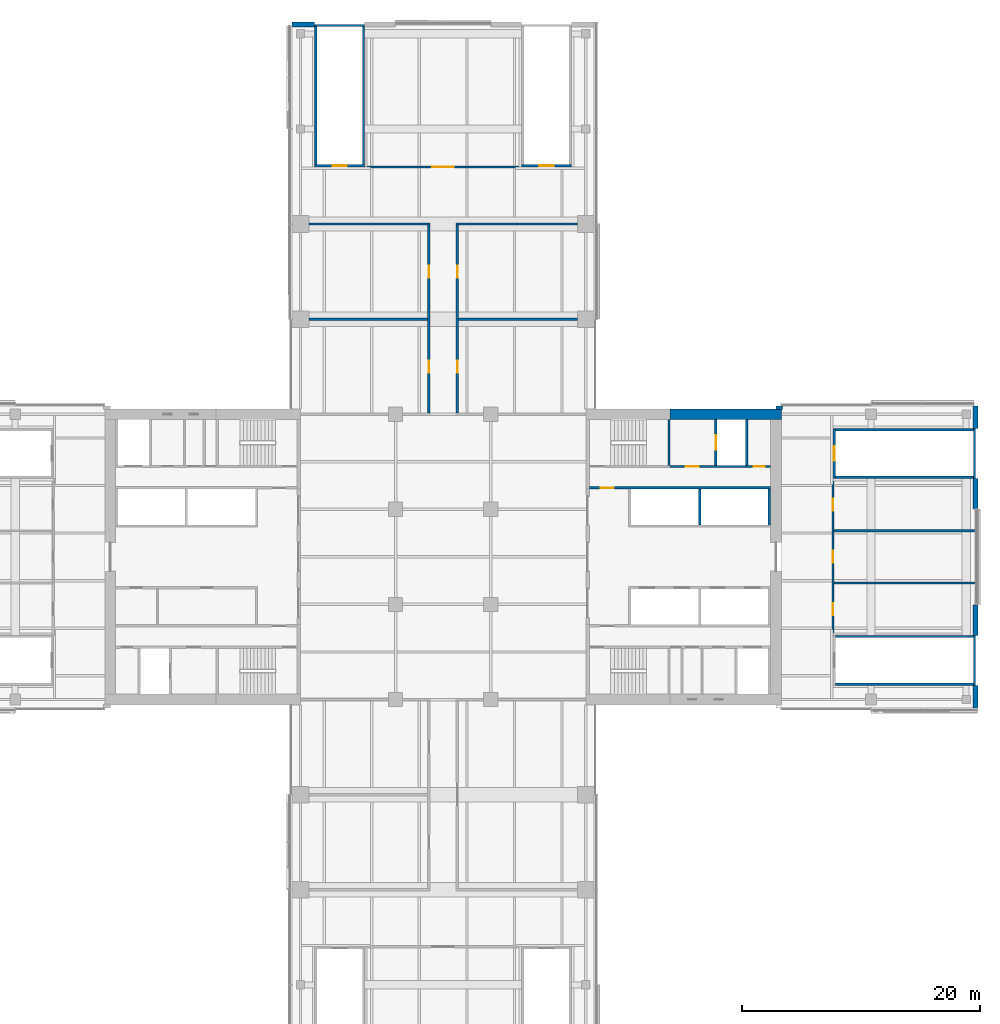
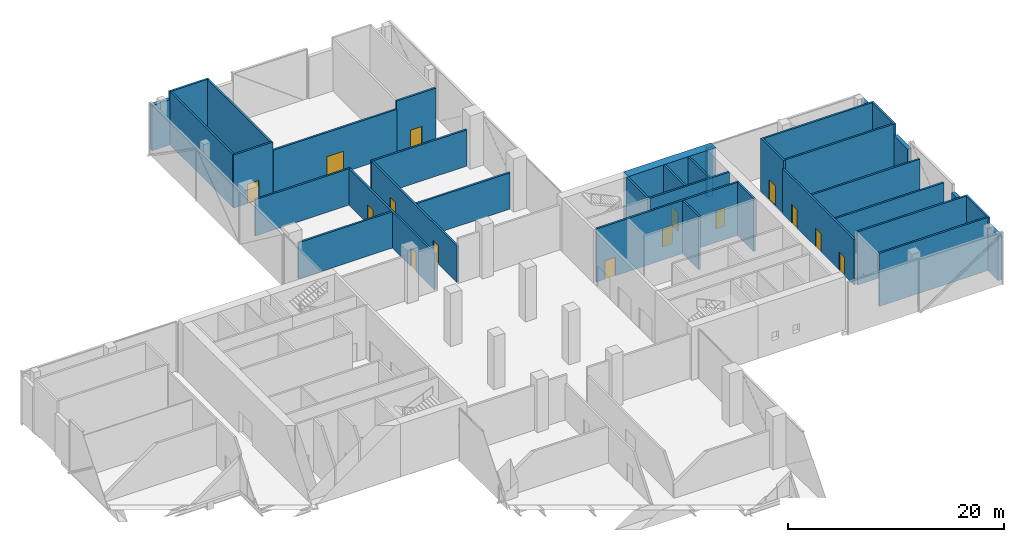
# One storey, part 17 of 23: 36 walls, 15 doors, 15 openings.
"""IFC4 building model written with IfcOpenShell, lengths in metres."""

from ifc_helpers import new_model, si_unit, direction, frame, frame_2d, origin, place, context, subcontext, project, spatial, rectangle, extrude, material, layer, layer_set, constituent, constituent_set, type_object, element, fill, save


model = new_model("IFC4")

# Units and contexts
model_context = context("Model", 3, precision=1e-05, world=origin(), true_north=direction((0.0, 1.0)))
body_context = subcontext(model_context, "Body", "Model", "MODEL_VIEW")
ifc_project = project(units=[si_unit("LENGTHUNIT", "METRE"), si_unit("AREAUNIT", "SQUARE_METRE"), si_unit("VOLUMEUNIT", "CUBIC_METRE"), si_unit("PLANEANGLEUNIT", "RADIAN"), si_unit("MASSUNIT", "GRAM", prefix="KILO")], contexts=[model_context])

# Site, building, storey
site_placement = place(None, origin())
site = spatial("IfcSite", under=ifc_project, at=site_placement, CompositionType="ELEMENT")
building_placement = place(site_placement, origin())
building = spatial("IfcBuilding", under=site, at=building_placement, Name="Crosswind Convention Tower", CompositionType="ELEMENT")
storey_placement = place(building_placement, frame((0.0, 0.0, 41.5)))
storey = spatial("IfcBuildingStorey", under=building, at=storey_placement, Name="L05", CompositionType="ELEMENT", Elevation=41.5)

# Walls
ifc_material_1 = material(Name="Concrete C50/60", Category="concrete")
ifc_layer_1 = layer(ifc_material_1, 0.199951171875)
ifc_layer_set_1 = layer_set([ifc_layer_1], Name="Concrete C50/60")
wall_type_1 = type_object("IfcWallType", Name="Concrete shaft and stair wall 200", PredefinedType="SHEAR", material=ifc_layer_set_1)
for number, where, z_axis, x_axis, name in (
    (1, (146.60009765625, 102.699951171875, 0.0), (0.0, 0.0, 1.0), (0.0, 1.0, 0.0), "Wall RPSEP E L05"),
    (2, (152.449951171875, 102.699951171875, 0.0), (0.0, 0.0, 1.0), (0.0, 1.0, 0.0), "Wall RPEAST E L05"),
):
    element("IfcWall", number, at=place(storey_placement, frame(where, z_axis=z_axis, x_axis=x_axis)), inside=storey, type_object=wall_type_1, Name=name, PredefinedType="SHEAR", context=body_context, shape_type="SweptSolid", body=[
        extrude(rectangle(XDim=3.0, YDim=0.199951171875, at=frame_2d((1.5, 0.0))), origin(), (0.0, 0.0, 1.0), 6.0),
    ])

# Wall, opening, door
wall_1_placement = place(storey_placement, frame((137.300048828125, 105.800048828125, 0.0), z_axis=(0.0, 0.0, 1.0), x_axis=(1.0, 0.0, 0.0)))
wall_1 = element("IfcWall", 3, at=wall_1_placement, inside=storey, type_object=wall_type_1, Name="Wall HP E L05", PredefinedType="SHEAR", context=body_context, shape_type="SweptSolid", body=[
    extrude(rectangle(XDim=15.25, YDim=0.199951171875, at=frame_2d((7.625, 0.0))), origin(), (0.0, 0.0, 1.0), 6.0),
])
opening_1_placement = place(wall_1_placement, frame((0.949951171875, 0.0, 0.0)))
opening_1 = element("IfcOpeningElement", 4, at=opening_1_placement, cuts=wall_1, Name="Opening D104", PredefinedType="OPENING", context=body_context, shape_type="SweptSolid", body=[
    extrude(rectangle(XDim=1.10009765625, YDim=2.10009765625, at=frame_2d((0.550048828125, 1.050048828125))), frame((0.0, 0.10986328125, 0.0), z_axis=(0.0, -1.0, 0.0), x_axis=(1.0, 0.0, 0.0)), (0.0, 0.0, 1.0), 0.219970703125),
])
ifc_material_2 = material(Name="Steel fire door", Category="steel")
door_type_1 = type_object("IfcDoorType", Name="Fire-rated single door 1100x2100", OperationType="NOTDEFINED", PredefinedType="DOOR", material=ifc_material_2)
door_1_placement = place(opening_1_placement, origin())
door_1 = element("IfcDoor", 5, at=door_1_placement, inside=storey, type_object=door_type_1, Name="Corridor door L05", ObjectType="D104", OperationType="SINGLE_SWING_LEFT", OverallHeight=2.10009765625, OverallWidth=1.10009765625, PredefinedType="DOOR", context=body_context, shape_type="SweptSolid", body=[
    extrude(rectangle(XDim=1.10009765625, YDim=2.10009765625, at=frame_2d((0.550048828125, 1.050048828125))), frame((0.0, 0.02490234375, 0.0), z_axis=(0.0, -1.0, 0.0), x_axis=(1.0, 0.0, 0.0)), (0.0, 0.0, 1.0), 0.050048828125),
])
fill(opening_1, door_1)

# Wall
wall_2_placement = place(storey_placement, frame((144.0, 107.699951171875, 0.0), z_axis=(0.0, 0.0, 1.0), x_axis=(0.0, 1.0, 0.0)))
element("IfcWall", 6, at=wall_2_placement, inside=storey, type_object=wall_type_1, Name="Wall PSE E L05", PredefinedType="SHEAR", context=body_context, shape_type="SweptSolid", body=[
    extrude(rectangle(XDim=3.85009765625, YDim=0.199951171875, at=frame_2d((1.925048828125, 0.0))), origin(), (0.0, 0.0, 1.0), 6.0),
])

# Wall, opening, door
wall_3_placement = place(storey_placement, frame((147.949951171875, 107.699951171875, 0.0), z_axis=(0.0, 0.0, 1.0), x_axis=(0.0, 1.0, 0.0)))
wall_3 = element("IfcWall", 7, at=wall_3_placement, inside=storey, type_object=wall_type_1, Name="Wall PFLW E L05", PredefinedType="SHEAR", context=body_context, shape_type="SweptSolid", body=[
    extrude(rectangle(XDim=3.85009765625, YDim=0.199951171875, at=frame_2d((1.925048828125, 0.0))), origin(), (0.0, 0.0, 1.0), 6.0),
])
opening_2_placement = place(wall_3_placement, frame((1.324951171875, 0.0, 0.0)))
opening_2 = element("IfcOpeningElement", 8, at=opening_2_placement, cuts=wall_3, Name="Opening LD1", PredefinedType="OPENING", context=body_context, shape_type="SweptSolid", body=[
    extrude(rectangle(XDim=1.199951171875, YDim=2.10009765625, at=frame_2d((0.60009765625, 1.050048828125))), frame((0.0, 0.10986328125, 0.0), z_axis=(0.0, -1.0, 0.0), x_axis=(1.0, 0.0, 0.0)), (0.0, 0.0, 1.0), 0.219970703125),
])
ifc_material_3 = material(Name="Stainless steel", Category="steel")
door_type_2 = type_object("IfcDoorType", Name="Lift landing door 1200x2100", OperationType="DOUBLE_DOOR_SLIDING", PredefinedType="DOOR", material=ifc_material_3)
door_2_placement = place(opening_2_placement, origin())
door_2 = element("IfcDoor", 9, at=door_2_placement, inside=storey, type_object=door_type_2, Name="Landing door FF1 L05", ObjectType="LD1", OperationType="DOUBLE_DOOR_SLIDING", OverallHeight=2.10009765625, OverallWidth=1.199951171875, PredefinedType="DOOR", context=body_context, shape_type="SweptSolid", body=[
    extrude(rectangle(XDim=1.199951171875, YDim=2.10009765625, at=frame_2d((0.60009765625, 1.050048828125))), frame((0.0, 0.02490234375, 0.0), z_axis=(0.0, -1.0, 0.0), x_axis=(1.0, 0.0, 0.0)), (0.0, 0.0, 1.0), 0.050048828125),
])
fill(opening_2, door_2)

# Wall
wall_4_placement = place(storey_placement, frame((150.550048828125, 107.699951171875, 0.0), z_axis=(0.0, 0.0, 1.0), x_axis=(0.0, 1.0, 0.0)))
element("IfcWall", 10, at=wall_4_placement, inside=storey, type_object=wall_type_1, Name="Wall PFSE E L05", PredefinedType="SHEAR", context=body_context, shape_type="SweptSolid", body=[
    extrude(rectangle(XDim=3.85009765625, YDim=0.199951171875, at=frame_2d((1.925048828125, 0.0))), origin(), (0.0, 0.0, 1.0), 6.0),
])

# Wall, openings, doors
wall_5_placement = place(storey_placement, frame((144.10009765625, 107.60009765625, 0.0), z_axis=(0.0, 0.0, 1.0), x_axis=(1.0, 0.0, 0.0)))
wall_5 = element("IfcWall", 11, at=wall_5_placement, inside=storey, type_object=wall_type_1, Name="Wall PCX E L05", PredefinedType="SHEAR", context=body_context, shape_type="SweptSolid", body=[
    extrude(rectangle(XDim=8.449951171875, YDim=0.199951171875, at=frame_2d((4.22509765625, 0.0))), origin(), (0.0, 0.0, 1.0), 6.0),
])
opening_3_placement = place(wall_5_placement, frame((1.324951171875, 0.0, 0.0)))
opening_3 = element("IfcOpeningElement", 12, at=opening_3_placement, cuts=wall_5, Name="Opening D104", PredefinedType="OPENING", context=body_context, shape_type="SweptSolid", body=[
    extrude(rectangle(XDim=1.10009765625, YDim=2.10009765625, at=frame_2d((0.550048828125, 1.050048828125))), frame((0.0, 0.10986328125, 0.0), z_axis=(0.0, -1.0, 0.0), x_axis=(1.0, 0.0, 0.0)), (0.0, 0.0, 1.0), 0.219970703125),
])
opening_4_placement = place(wall_5_placement, frame((7.050048828125, 0.0, 0.0)))
opening_4 = element("IfcOpeningElement", 13, at=opening_4_placement, cuts=wall_5, Name="Opening D106", PredefinedType="OPENING", context=body_context, shape_type="SweptSolid", body=[
    extrude(rectangle(XDim=0.89990234375, YDim=2.10009765625, at=frame_2d((0.449951171875, 1.050048828125))), frame((0.0, 0.10986328125, 0.0), z_axis=(0.0, -1.0, 0.0), x_axis=(1.0, 0.0, 0.0)), (0.0, 0.0, 1.0), 0.219970703125),
])
door_3_placement = place(opening_3_placement, origin())
door_3 = element("IfcDoor", 14, at=door_3_placement, inside=storey, type_object=door_type_1, Name="Fire-fighting lobby FF1 door L05", ObjectType="D104", OperationType="SINGLE_SWING_RIGHT", OverallHeight=2.10009765625, OverallWidth=1.10009765625, PredefinedType="DOOR", context=body_context, shape_type="SweptSolid", body=[
    extrude(rectangle(XDim=1.10009765625, YDim=2.10009765625, at=frame_2d((0.550048828125, 1.050048828125))), frame((0.0, 0.02490234375, 0.0), z_axis=(0.0, -1.0, 0.0), x_axis=(1.0, 0.0, 0.0)), (0.0, 0.0, 1.0), 0.050048828125),
])
fill(opening_3, door_3)
ifc_material_4 = material(Name="Timber door", Category="wood")
door_type_3 = type_object("IfcDoorType", Name="Single leaf door 900x2100", OperationType="NOTDEFINED", PredefinedType="DOOR", material=ifc_material_4)
door_4_placement = place(opening_4_placement, origin())
door_4 = element("IfcDoor", 15, at=door_4_placement, inside=storey, type_object=door_type_3, Name="Door to comms room L05", ObjectType="D106", OperationType="SINGLE_SWING_RIGHT", OverallHeight=2.10009765625, OverallWidth=0.89990234375, PredefinedType="DOOR", context=body_context, shape_type="SweptSolid", body=[
    extrude(rectangle(XDim=0.89990234375, YDim=2.10009765625, at=frame_2d((0.449951171875, 1.050048828125))), frame((0.0, 0.02490234375, 0.0), z_axis=(0.0, -1.0, 0.0), x_axis=(1.0, 0.0, 0.0)), (0.0, 0.0, 1.0), 0.050048828125),
])
fill(opening_4, door_4)

# Walls
ifc_material_5 = material(Name="Double plasterboard partition", Category="gypsum")
ifc_layer_2 = layer(ifc_material_5, 0.199951171875)
ifc_layer_set_2 = layer_set([ifc_layer_2], Name="HALL WALL 200")
wall_type_2 = type_object("IfcWallType", Name="HALL WALL 200", PredefinedType="PARTITIONING", material=ifc_layer_set_2)
for number, where, z_axis, x_axis, name in (
    (16, (157.89990234375, 97.800048828125, 0.0), (0.0, 0.0, 1.0), (1.0, 0.0, 0.0), "Hall Wall 18"),
    (17, (157.89990234375, 102.199951171875, 0.0), (0.0, 0.0, 1.0), (1.0, 0.0, 0.0), "Hall Wall 20"),
):
    element("IfcWall", number, at=place(storey_placement, frame(where, z_axis=z_axis, x_axis=x_axis)), inside=storey, type_object=wall_type_2, Name=name, PredefinedType="PARTITIONING", context=body_context, shape_type="SweptSolid", body=[
        extrude(rectangle(XDim=11.900146484375, YDim=0.199951171875, at=frame_2d((5.9501953125, 0.0))), origin(), (0.0, 0.0, 1.0), 4.699951171875),
    ])
for number, where, z_axis, x_axis, name in (
    (18, (113.699951171875, 120.0, 0.0), (0.0, 0.0, 1.0), (1.0, 0.0, 0.0), "Hall Wall 29"),
    (19, (126.300048828125, 120.0, 0.0), (0.0, 0.0, 1.0), (1.0, 0.0, 0.0), "Hall Wall 30"),
):
    element("IfcWall", number, at=place(storey_placement, frame(where, z_axis=z_axis, x_axis=x_axis)), inside=storey, type_object=wall_type_2, Name=name, PredefinedType="PARTITIONING", context=body_context, shape_type="SweptSolid", body=[
        extrude(rectangle(XDim=10.0, YDim=0.199951171875, at=frame_2d((5.0, 0.0))), origin(), (0.0, 0.0, 1.0), 4.10009765625),
    ])
for number, where, z_axis, x_axis, name in (
    (20, (113.699951171875, 128.0, 0.0), (0.0, 0.0, 1.0), (1.0, 0.0, 0.0), "Hall Wall 31"),
    (21, (126.10009765625, 128.0, 0.0), (0.0, 0.0, 1.0), (1.0, 0.0, 0.0), "Hall Wall 32"),
):
    element("IfcWall", number, at=place(storey_placement, frame(where, z_axis=z_axis, x_axis=x_axis)), inside=storey, type_object=wall_type_2, Name=name, PredefinedType="PARTITIONING", context=body_context, shape_type="SweptSolid", body=[
        extrude(rectangle(XDim=10.199951171875, YDim=0.199951171875, at=frame_2d((5.10009765625, 0.0))), origin(), (0.0, 0.0, 1.0), 4.10009765625),
    ])

# Wall, opening, door
wall_6_placement = place(storey_placement, frame((118.39990234375, 132.800048828125, 0.0), z_axis=(0.0, 0.0, 1.0), x_axis=(1.0, 0.0, 0.0)))
wall_6 = element("IfcWall", 22, at=wall_6_placement, inside=storey, type_object=wall_type_2, Name="Hall Wall 33", PredefinedType="PARTITIONING", context=body_context, shape_type="SweptSolid", body=[
    extrude(rectangle(XDim=13.2001953125, YDim=0.199951171875, at=frame_2d((6.60009765625, 0.0))), origin(), (0.0, 0.0, 1.0), 5.142822265625),
])
opening_5_placement = place(wall_6_placement, frame((5.699951171875, 0.0, 0.0)))
opening_5 = element("IfcOpeningElement", 23, at=opening_5_placement, cuts=wall_6, Name="Opening 05.005", PredefinedType="OPENING", context=body_context, shape_type="SweptSolid", body=[
    extrude(rectangle(XDim=1.800048828125, YDim=2.39990234375, at=frame_2d((0.89990234375, 1.199951171875))), frame((0.0, 0.10986328125, 0.0), z_axis=(0.0, -1.0, 0.0), x_axis=(1.0, 0.0, 0.0)), (0.0, 0.0, 1.0), 0.219970703125),
])
ifc_material_6 = material(Name="Timber fire door", Category="wood")
door_type_4 = type_object("IfcDoorType", Name="HALL DOUBLE DOOR 1800X2400", OperationType="DOUBLE_DOOR_SINGLE_SWING", PredefinedType="DOOR", material=ifc_material_6)
door_5_placement = place(opening_5_placement, frame((1.800048828125, 0.0, 0.0), z_axis=(0.0, 0.0, 1.0), x_axis=(-1.0, 0.0, 0.0)))
door_5 = element("IfcDoor", 24, at=door_5_placement, inside=storey, type_object=door_type_4, Name="Door 05.005", ObjectType="D5", OperationType="DOUBLE_DOOR_SINGLE_SWING", OverallHeight=2.39990234375, OverallWidth=1.800048828125, PredefinedType="DOOR", context=body_context, shape_type="SweptSolid", body=[
    extrude(rectangle(XDim=1.800048828125, YDim=2.39990234375, at=frame_2d((0.89990234375, 1.199951171875))), frame((0.0, 0.02490234375, 0.0), z_axis=(0.0, -1.0, 0.0), x_axis=(1.0, 0.0, 0.0)), (0.0, 0.0, 1.0), 0.050048828125),
])
fill(opening_5, door_5)

# Wall, openings, doors
wall_7_placement = place(storey_placement, frame((123.800048828125, 112.10009765625, 0.0), z_axis=(0.0, 0.0, 1.0), x_axis=(0.0, 1.0, 0.0)))
wall_7 = element("IfcWall", 25, at=wall_7_placement, inside=storey, type_object=wall_type_2, Name="Hall Wall 49", PredefinedType="PARTITIONING", context=body_context, shape_type="SweptSolid", body=[
    extrude(rectangle(XDim=15.7998046875, YDim=0.199951171875, at=frame_2d((7.89990234375, 0.0))), origin(), (0.0, 0.0, 1.0), 4.10009765625),
])
opening_6_placement = place(wall_7_placement, frame((3.39990234375, 0.0, 0.0)))
opening_6 = element("IfcOpeningElement", 26, at=opening_6_placement, cuts=wall_7, Name="Opening 05.001", PredefinedType="OPENING", context=body_context, shape_type="SweptSolid", body=[
    extrude(rectangle(XDim=1.0, YDim=2.10009765625, at=frame_2d((0.5, 1.050048828125))), frame((0.0, 0.10986328125, 0.0), z_axis=(0.0, -1.0, 0.0), x_axis=(1.0, 0.0, 0.0)), (0.0, 0.0, 1.0), 0.219970703125),
])
opening_7_placement = place(wall_7_placement, frame((11.39990234375, 0.0, 0.0)))
opening_7 = element("IfcOpeningElement", 27, at=opening_7_placement, cuts=wall_7, Name="Opening 05.002", PredefinedType="OPENING", context=body_context, shape_type="SweptSolid", body=[
    extrude(rectangle(XDim=1.0, YDim=2.10009765625, at=frame_2d((0.5, 1.050048828125))), frame((0.0, 0.10986328125, 0.0), z_axis=(0.0, -1.0, 0.0), x_axis=(1.0, 0.0, 0.0)), (0.0, 0.0, 1.0), 0.219970703125),
])
door_type_5 = type_object("IfcDoorType", Name="MEETING ROOM DOOR 1000X2100", OperationType="NOTDEFINED", PredefinedType="DOOR", material=ifc_material_6)
door_6_placement = place(opening_6_placement, frame((1.0, 0.0, 0.0), z_axis=(0.0, 0.0, 1.0), x_axis=(-1.0, 0.0, 0.0)))
door_6 = element("IfcDoor", 28, at=door_6_placement, inside=storey, type_object=door_type_5, Name="Door 05.001", ObjectType="D13", OperationType="SINGLE_SWING_RIGHT", OverallHeight=2.10009765625, OverallWidth=1.0, PredefinedType="DOOR", context=body_context, shape_type="SweptSolid", body=[
    extrude(rectangle(XDim=1.0, YDim=2.10009765625, at=frame_2d((0.5, 1.050048828125))), frame((0.0, 0.02490234375, 0.0), z_axis=(0.0, -1.0, 0.0), x_axis=(1.0, 0.0, 0.0)), (0.0, 0.0, 1.0), 0.050048828125),
])
fill(opening_6, door_6)
door_7_placement = place(opening_7_placement, frame((1.0, 0.0, 0.0), z_axis=(0.0, 0.0, 1.0), x_axis=(-1.0, 0.0, 0.0)))
door_7 = element("IfcDoor", 29, at=door_7_placement, inside=storey, type_object=door_type_5, Name="Door 05.002", ObjectType="D13", OperationType="SINGLE_SWING_LEFT", OverallHeight=2.10009765625, OverallWidth=1.0, PredefinedType="DOOR", context=body_context, shape_type="SweptSolid", body=[
    extrude(rectangle(XDim=1.0, YDim=2.10009765625, at=frame_2d((0.5, 1.050048828125))), frame((0.0, 0.02490234375, 0.0), z_axis=(0.0, -1.0, 0.0), x_axis=(1.0, 0.0, 0.0)), (0.0, 0.0, 1.0), 0.050048828125),
])
fill(opening_7, door_7)

wall_8_placement = place(storey_placement, frame((126.199951171875, 112.10009765625, 0.0), z_axis=(0.0, 0.0, 1.0), x_axis=(0.0, 1.0, 0.0)))
wall_8 = element("IfcWall", 30, at=wall_8_placement, inside=storey, type_object=wall_type_2, Name="Hall Wall 51", PredefinedType="PARTITIONING", context=body_context, shape_type="SweptSolid", body=[
    extrude(rectangle(XDim=15.7998046875, YDim=0.199951171875, at=frame_2d((7.89990234375, 0.0))), origin(), (0.0, 0.0, 1.0), 4.10009765625),
])
opening_8_placement = place(wall_8_placement, frame((3.39990234375, 0.0, 0.0)))
opening_8 = element("IfcOpeningElement", 31, at=opening_8_placement, cuts=wall_8, Name="Opening 05.003", PredefinedType="OPENING", context=body_context, shape_type="SweptSolid", body=[
    extrude(rectangle(XDim=1.0, YDim=2.10009765625, at=frame_2d((0.5, 1.050048828125))), frame((0.0, 0.10986328125, 0.0), z_axis=(0.0, -1.0, 0.0), x_axis=(1.0, 0.0, 0.0)), (0.0, 0.0, 1.0), 0.219970703125),
])
opening_9_placement = place(wall_8_placement, frame((11.39990234375, 0.0, 0.0)))
opening_9 = element("IfcOpeningElement", 32, at=opening_9_placement, cuts=wall_8, Name="Opening 05.004", PredefinedType="OPENING", context=body_context, shape_type="SweptSolid", body=[
    extrude(rectangle(XDim=1.0, YDim=2.10009765625, at=frame_2d((0.5, 1.050048828125))), frame((0.0, 0.10986328125, 0.0), z_axis=(0.0, -1.0, 0.0), x_axis=(1.0, 0.0, 0.0)), (0.0, 0.0, 1.0), 0.219970703125),
])
door_8_placement = place(opening_8_placement, origin())
door_8 = element("IfcDoor", 33, at=door_8_placement, inside=storey, type_object=door_type_5, Name="Door 05.003", ObjectType="D13", OperationType="SINGLE_SWING_LEFT", OverallHeight=2.10009765625, OverallWidth=1.0, PredefinedType="DOOR", context=body_context, shape_type="SweptSolid", body=[
    extrude(rectangle(XDim=1.0, YDim=2.10009765625, at=frame_2d((0.5, 1.050048828125))), frame((0.0, 0.02490234375, 0.0), z_axis=(0.0, -1.0, 0.0), x_axis=(1.0, 0.0, 0.0)), (0.0, 0.0, 1.0), 0.050048828125),
])
fill(opening_8, door_8)
door_9_placement = place(opening_9_placement, origin())
door_9 = element("IfcDoor", 34, at=door_9_placement, inside=storey, type_object=door_type_5, Name="Door 05.004", ObjectType="D13", OperationType="SINGLE_SWING_RIGHT", OverallHeight=2.10009765625, OverallWidth=1.0, PredefinedType="DOOR", context=body_context, shape_type="SweptSolid", body=[
    extrude(rectangle(XDim=1.0, YDim=2.10009765625, at=frame_2d((0.5, 1.050048828125))), frame((0.0, 0.02490234375, 0.0), z_axis=(0.0, -1.0, 0.0), x_axis=(1.0, 0.0, 0.0)), (0.0, 0.0, 1.0), 0.050048828125),
])
fill(opening_9, door_9)

wall_9_placement = place(storey_placement, frame((157.800048828125, 93.39990234375, 0.0), z_axis=(0.0, 0.0, 1.0), x_axis=(0.0, 1.0, 0.0)))
wall_9 = element("IfcWall", 35, at=wall_9_placement, inside=storey, type_object=wall_type_2, Name="Hall Wall 56", PredefinedType="PARTITIONING", context=body_context, shape_type="SweptSolid", body=[
    extrude(rectangle(XDim=13.2001953125, YDim=0.199951171875, at=frame_2d((6.60009765625, 0.0))), origin(), (0.0, 0.0, 1.0), 5.142822265625),
])
opening_10_placement = place(wall_9_placement, frame((1.699951171875, 0.0, 0.0)))
opening_10 = element("IfcOpeningElement", 36, at=opening_10_placement, cuts=wall_9, Name="Opening 05.010", PredefinedType="OPENING", context=body_context, shape_type="SweptSolid", body=[
    extrude(rectangle(XDim=1.0, YDim=2.10009765625, at=frame_2d((0.5, 1.050048828125))), frame((0.0, 0.10986328125, 0.0), z_axis=(0.0, -1.0, 0.0), x_axis=(1.0, 0.0, 0.0)), (0.0, 0.0, 1.0), 0.219970703125),
])
opening_11_placement = place(wall_9_placement, frame((6.10009765625, 0.0, 0.0)))
opening_11 = element("IfcOpeningElement", 37, at=opening_11_placement, cuts=wall_9, Name="Opening 05.011", PredefinedType="OPENING", context=body_context, shape_type="SweptSolid", body=[
    extrude(rectangle(XDim=1.0, YDim=2.10009765625, at=frame_2d((0.5, 1.050048828125))), frame((0.0, 0.10986328125, 0.0), z_axis=(0.0, -1.0, 0.0), x_axis=(1.0, 0.0, 0.0)), (0.0, 0.0, 1.0), 0.219970703125),
])
opening_12_placement = place(wall_9_placement, frame((10.5, 0.0, 0.0)))
opening_12 = element("IfcOpeningElement", 38, at=opening_12_placement, cuts=wall_9, Name="Opening 05.012", PredefinedType="OPENING", context=body_context, shape_type="SweptSolid", body=[
    extrude(rectangle(XDim=1.0, YDim=2.10009765625, at=frame_2d((0.5, 1.050048828125))), frame((0.0, 0.10986328125, 0.0), z_axis=(0.0, -1.0, 0.0), x_axis=(1.0, 0.0, 0.0)), (0.0, 0.0, 1.0), 0.219970703125),
])
door_10_placement = place(opening_10_placement, origin())
door_10 = element("IfcDoor", 39, at=door_10_placement, inside=storey, type_object=door_type_5, Name="Door 05.010", ObjectType="D13", OperationType="SINGLE_SWING_RIGHT", OverallHeight=2.10009765625, OverallWidth=1.0, PredefinedType="DOOR", context=body_context, shape_type="SweptSolid", body=[
    extrude(rectangle(XDim=1.0, YDim=2.10009765625, at=frame_2d((0.5, 1.050048828125))), frame((0.0, 0.02490234375, 0.0), z_axis=(0.0, -1.0, 0.0), x_axis=(1.0, 0.0, 0.0)), (0.0, 0.0, 1.0), 0.050048828125),
])
fill(opening_10, door_10)
door_11_placement = place(opening_11_placement, origin())
door_11 = element("IfcDoor", 40, at=door_11_placement, inside=storey, type_object=door_type_5, Name="Door 05.011", ObjectType="D13", OperationType="SINGLE_SWING_RIGHT", OverallHeight=2.10009765625, OverallWidth=1.0, PredefinedType="DOOR", context=body_context, shape_type="SweptSolid", body=[
    extrude(rectangle(XDim=1.0, YDim=2.10009765625, at=frame_2d((0.5, 1.050048828125))), frame((0.0, 0.02490234375, 0.0), z_axis=(0.0, -1.0, 0.0), x_axis=(1.0, 0.0, 0.0)), (0.0, 0.0, 1.0), 0.050048828125),
])
fill(opening_11, door_11)
door_12_placement = place(opening_12_placement, origin())
door_12 = element("IfcDoor", 41, at=door_12_placement, inside=storey, type_object=door_type_5, Name="Door 05.012", ObjectType="D13", OperationType="SINGLE_SWING_RIGHT", OverallHeight=2.10009765625, OverallWidth=1.0, PredefinedType="DOOR", context=body_context, shape_type="SweptSolid", body=[
    extrude(rectangle(XDim=1.0, YDim=2.10009765625, at=frame_2d((0.5, 1.050048828125))), frame((0.0, 0.02490234375, 0.0), z_axis=(0.0, -1.0, 0.0), x_axis=(1.0, 0.0, 0.0)), (0.0, 0.0, 1.0), 0.050048828125),
])
fill(opening_12, door_12)

# Walls
ifc_material_7 = material(Name="Concrete C40/50", Category="concrete")
ifc_layer_3 = layer(ifc_material_7, 0.199951171875)
ifc_layer_set_3 = layer_set([ifc_layer_3], Name="Concrete C40/50")
wall_type_3 = type_object("IfcWallType", Name="STAIR ENCLOSURE WALL 200", PredefinedType="SOLIDWALL", material=ifc_layer_set_3)
for number, where, z_axis, x_axis, name in (
    (42, (158.0, 89.300048828125, 0.0), (0.0, 0.0, 1.0), (1.0, 0.0, 0.0), "Stair Enclosure Wall 14"),
    (43, (158.0, 93.300048828125, 0.0), (0.0, 0.0, 1.0), (1.0, 0.0, 0.0), "Stair Enclosure Wall 16"),
    (44, (158.0, 106.699951171875, 0.0), (0.0, 0.0, 1.0), (1.0, 0.0, 0.0), "Stair Enclosure Wall 22"),
    (45, (158.0, 110.699951171875, 0.0), (0.0, 0.0, 1.0), (1.0, 0.0, 0.0), "Stair Enclosure Wall 24"),
):
    element("IfcWall", number, at=place(storey_placement, frame(where, z_axis=z_axis, x_axis=x_axis)), inside=storey, type_object=wall_type_3, Name=name, PredefinedType="SOLIDWALL", context=body_context, shape_type="SweptSolid", body=[
        extrude(rectangle(XDim=11.60009765625, YDim=0.199951171875, at=frame_2d((5.800048828125, 0.0))), origin(), (0.0, 0.0, 1.0), 6.0),
    ])

# Wall, opening, door
wall_10_placement = place(storey_placement, frame((114.199951171875, 132.89990234375, 0.0), z_axis=(0.0, 0.0, 1.0), x_axis=(1.0, 0.0, 0.0)))
wall_10 = element("IfcWall", 46, at=wall_10_placement, inside=storey, type_object=wall_type_3, Name="Stair Enclosure Wall 34", PredefinedType="SOLIDWALL", context=body_context, shape_type="SweptSolid", body=[
    extrude(rectangle(XDim=4.199951171875, YDim=0.199951171875, at=frame_2d((2.10009765625, 0.0))), origin(), (0.0, 0.0, 1.0), 6.0),
])
opening_13_placement = place(wall_10_placement, frame((1.5, 0.0, 0.0)))
opening_13 = element("IfcOpeningElement", 47, at=opening_13_placement, cuts=wall_10, Name="Opening 05.018", PredefinedType="OPENING", context=body_context, shape_type="SweptSolid", body=[
    extrude(rectangle(XDim=1.199951171875, YDim=2.199951171875, at=frame_2d((0.60009765625, 1.10009765625))), frame((0.0, 0.10986328125, 0.0), z_axis=(0.0, -1.0, 0.0), x_axis=(1.0, 0.0, 0.0)), (0.0, 0.0, 1.0), 0.219970703125),
])
door_type_6 = type_object("IfcDoorType", Name="STAIR DOOR 1200X2200", OperationType="NOTDEFINED", PredefinedType="DOOR", material=ifc_material_2)
door_13_placement = place(opening_13_placement, origin())
door_13 = element("IfcDoor", 48, at=door_13_placement, inside=storey, type_object=door_type_6, Name="Door 05.018", ObjectType="D4", OperationType="SINGLE_SWING_RIGHT", OverallHeight=2.199951171875, OverallWidth=1.199951171875, PredefinedType="DOOR", context=body_context, shape_type="SweptSolid", body=[
    extrude(rectangle(XDim=1.199951171875, YDim=2.199951171875, at=frame_2d((0.60009765625, 1.10009765625))), frame((0.0, 0.02490234375, 0.0), z_axis=(0.0, -1.0, 0.0), x_axis=(1.0, 0.0, 0.0)), (0.0, 0.0, 1.0), 0.050048828125),
])
fill(opening_13, door_13)

wall_11_placement = place(storey_placement, frame((131.60009765625, 132.89990234375, 0.0), z_axis=(0.0, 0.0, 1.0), x_axis=(1.0, 0.0, 0.0)))
wall_11 = element("IfcWall", 49, at=wall_11_placement, inside=storey, type_object=wall_type_3, Name="Stair Enclosure Wall 35", PredefinedType="SOLIDWALL", context=body_context, shape_type="SweptSolid", body=[
    extrude(rectangle(XDim=4.199951171875, YDim=0.199951171875, at=frame_2d((2.10009765625, 0.0))), origin(), (0.0, 0.0, 1.0), 6.0),
])
opening_14_placement = place(wall_11_placement, frame((1.5, 0.0, 0.0)))
opening_14 = element("IfcOpeningElement", 50, at=opening_14_placement, cuts=wall_11, Name="Opening 05.019", PredefinedType="OPENING", context=body_context, shape_type="SweptSolid", body=[
    extrude(rectangle(XDim=1.199951171875, YDim=2.199951171875, at=frame_2d((0.60009765625, 1.10009765625))), frame((0.0, 0.10986328125, 0.0), z_axis=(0.0, -1.0, 0.0), x_axis=(1.0, 0.0, 0.0)), (0.0, 0.0, 1.0), 0.219970703125),
])
door_14_placement = place(opening_14_placement, origin())
door_14 = element("IfcDoor", 51, at=door_14_placement, inside=storey, type_object=door_type_6, Name="Door 05.019", ObjectType="D4", OperationType="SINGLE_SWING_RIGHT", OverallHeight=2.199951171875, OverallWidth=1.199951171875, PredefinedType="DOOR", context=body_context, shape_type="SweptSolid", body=[
    extrude(rectangle(XDim=1.199951171875, YDim=2.199951171875, at=frame_2d((0.60009765625, 1.10009765625))), frame((0.0, 0.02490234375, 0.0), z_axis=(0.0, -1.0, 0.0), x_axis=(1.0, 0.0, 0.0)), (0.0, 0.0, 1.0), 0.050048828125),
])
fill(opening_14, door_14)

# Walls
wall_12_placement = place(storey_placement, frame((114.199951171875, 144.699951171875, 0.0), z_axis=(0.0, 0.0, 1.0), x_axis=(1.0, 0.0, 0.0)))
element("IfcWall", 52, at=wall_12_placement, inside=storey, type_object=wall_type_3, Name="Stair Enclosure Wall 36", PredefinedType="SOLIDWALL", context=body_context, shape_type="SweptSolid", body=[
    extrude(rectangle(XDim=4.199951171875, YDim=0.199951171875, at=frame_2d((2.10009765625, 0.0))), origin(), (0.0, 0.0, 1.0), 6.0),
])
for number, where, z_axis, x_axis, name in (
    (53, (114.300048828125, 133.0, 0.0), (0.0, 0.0, 1.0), (0.0, 1.0, 0.0), "Stair Enclosure Wall 45"),
    (54, (118.300048828125, 133.0, 0.0), (0.0, 0.0, 1.0), (0.0, 1.0, 0.0), "Stair Enclosure Wall 47"),
):
    element("IfcWall", number, at=place(storey_placement, frame(where, z_axis=z_axis, x_axis=x_axis)), inside=storey, type_object=wall_type_3, Name=name, PredefinedType="SOLIDWALL", context=body_context, shape_type="SweptSolid", body=[
        extrude(rectangle(XDim=11.60009765625, YDim=0.199951171875, at=frame_2d((5.800048828125, 0.0))), origin(), (0.0, 0.0, 1.0), 6.0),
    ])

# Wall, opening, door
wall_13_placement = place(storey_placement, frame((157.89990234375, 106.60009765625, 0.0), z_axis=(0.0, 0.0, 1.0), x_axis=(0.0, 1.0, 0.0)))
wall_13 = element("IfcWall", 55, at=wall_13_placement, inside=storey, type_object=wall_type_3, Name="Stair Enclosure Wall 58", PredefinedType="SOLIDWALL", context=body_context, shape_type="SweptSolid", body=[
    extrude(rectangle(XDim=4.199951171875, YDim=0.199951171875, at=frame_2d((2.10009765625, 0.0))), origin(), (0.0, 0.0, 1.0), 6.0),
])
opening_15_placement = place(wall_13_placement, frame((1.5, 0.0, 0.0)))
opening_15 = element("IfcOpeningElement", 56, at=opening_15_placement, cuts=wall_13, Name="Opening 05.017", PredefinedType="OPENING", context=body_context, shape_type="SweptSolid", body=[
    extrude(rectangle(XDim=1.199951171875, YDim=2.199951171875, at=frame_2d((0.60009765625, 1.10009765625))), frame((0.0, 0.10986328125, 0.0), z_axis=(0.0, -1.0, 0.0), x_axis=(1.0, 0.0, 0.0)), (0.0, 0.0, 1.0), 0.219970703125),
])
door_15_placement = place(opening_15_placement, frame((1.199951171875, 0.0, 0.0), z_axis=(0.0, 0.0, 1.0), x_axis=(-1.0, 0.0, 0.0)))
door_15 = element("IfcDoor", 57, at=door_15_placement, inside=storey, type_object=door_type_6, Name="Door 05.017", ObjectType="D4", OperationType="SINGLE_SWING_LEFT", OverallHeight=2.199951171875, OverallWidth=1.199951171875, PredefinedType="DOOR", context=body_context, shape_type="SweptSolid", body=[
    extrude(rectangle(XDim=1.199951171875, YDim=2.199951171875, at=frame_2d((0.60009765625, 1.10009765625))), frame((0.0, 0.02490234375, 0.0), z_axis=(0.0, -1.0, 0.0), x_axis=(1.0, 0.0, 0.0)), (0.0, 0.0, 1.0), 0.050048828125),
])
fill(opening_15, door_15)

# Walls
for number, where, z_axis, x_axis, name in (
    (58, (169.699951171875, 89.199951171875, 0.0), (0.0, 0.0, 1.0), (0.0, 1.0, 0.0), "Stair Enclosure Wall 59"),
    (59, (169.699951171875, 106.60009765625, 0.0), (0.0, 0.0, 1.0), (0.0, 1.0, 0.0), "Stair Enclosure Wall 60"),
):
    element("IfcWall", number, at=place(storey_placement, frame(where, z_axis=z_axis, x_axis=x_axis)), inside=storey, type_object=wall_type_3, Name=name, PredefinedType="SOLIDWALL", context=body_context, shape_type="SweptSolid", body=[
        extrude(rectangle(XDim=4.199951171875, YDim=0.199951171875, at=frame_2d((2.10009765625, 0.0))), origin(), (0.0, 0.0, 1.0), 6.0),
    ])
ifc_material_8 = material(Name="Terracotta rainscreen", Category="ceramic")
ifc_layer_4 = layer(ifc_material_8, 0.02001953125)
ifc_material_9 = material(Name="Mineral wool insulation", Category="insulation")
ifc_layer_5 = layer(ifc_material_9, 0.10009765625)
ifc_material_10 = material(Name="Concrete blockwork", Category="masonry")
ifc_layer_6 = layer(ifc_material_10, 0.18603515625)
ifc_layer_set_4 = layer_set([ifc_layer_4, ifc_layer_5, ifc_layer_6], Name="TERRACOTTA CORNER INFILL WALL 306")
wall_type_4 = type_object("IfcWallType", Name="TERRACOTTA CORNER INFILL WALL 306", PredefinedType="SOLIDWALL", material=ifc_layer_set_4)
wall_14_placement = place(storey_placement, frame((153.0, 112.547119140625, 0.0), z_axis=(0.0, 0.0, 1.0), x_axis=(1.0, 0.0, 0.0)))
element("IfcWall", 60, at=wall_14_placement, inside=storey, type_object=wall_type_4, Name="Core corner infill wall L05 1", PredefinedType="SOLIDWALL", context=body_context, shape_type="SweptSolid", body=[
    extrude(rectangle(XDim=0.554931640625, YDim=0.305908203125, at=frame_2d((0.27734375, 0.0))), origin(), (0.0, 0.0, 1.0), 5.60009765625),
])
ifc_layer_7 = layer(ifc_material_8, 0.02001953125)
ifc_layer_8 = layer(ifc_material_9, 0.10009765625)
ifc_layer_9 = layer(ifc_material_10, 0.280029296875)
ifc_layer_set_5 = layer_set([ifc_layer_7, ifc_layer_8, ifc_layer_9], Name="TERRACOTTA INFILL WALL 400")
wall_type_5 = type_object("IfcWallType", Name="TERRACOTTA INFILL WALL 400", PredefinedType="SOLIDWALL", material=ifc_layer_set_5)
wall_15_placement = place(storey_placement, frame((169.784912109375, 87.300048828125, 0.0), z_axis=(0.0, 0.0, 1.0), x_axis=(0.0, 1.0, 0.0)))
element("IfcWall", 61, at=wall_15_placement, inside=storey, type_object=wall_type_5, Name="Stair enclosure side wall L05 E-TIP.1-1.1", PredefinedType="SOLIDWALL", context=body_context, shape_type="SweptSolid", body=[
    extrude(rectangle(XDim=1.89990234375, YDim=0.39990234375, at=frame_2d((0.949951171875, 0.0))), origin(), (0.0, 0.0, 1.0), 5.10009765625),
])
for number, where, z_axis, x_axis, name in (
    (62, (169.784912109375, 93.39990234375, 0.0), (0.0, 0.0, 1.0), (0.0, 1.0, 0.0), "Stair enclosure side wall L05 E-TIP.1-1.2"),
    (63, (169.784912109375, 104.0400390625, 0.0), (0.0, 0.0, 1.0), (0.0, 1.0, 0.0), "Stair enclosure side wall L05 E-TIP.1-3.1"),
):
    element("IfcWall", number, at=place(storey_placement, frame(where, z_axis=z_axis, x_axis=x_axis)), inside=storey, type_object=wall_type_5, Name=name, PredefinedType="SOLIDWALL", context=body_context, shape_type="SweptSolid", body=[
        extrude(rectangle(XDim=2.56005859375, YDim=0.39990234375, at=frame_2d((1.280029296875, 0.0))), origin(), (0.0, 0.0, 1.0), 4.699951171875),
    ])
for number, where, z_axis, x_axis, name in (
    (64, (169.784912109375, 110.800048828125, 0.0), (0.0, 0.0, 1.0), (0.0, 1.0, 0.0), "Stair enclosure side wall L05 E-TIP.1-3.2"),
    (65, (114.199951171875, 144.784912109375, 0.0), (0.0, 0.0, 1.0), (-1.0, 0.0, 0.0), "Stair enclosure side wall L05 N-TIP.1-3.2"),
):
    element("IfcWall", number, at=place(storey_placement, frame(where, z_axis=z_axis, x_axis=x_axis)), inside=storey, type_object=wall_type_5, Name=name, PredefinedType="SOLIDWALL", context=body_context, shape_type="SweptSolid", body=[
        extrude(rectangle(XDim=1.89990234375, YDim=0.39990234375, at=frame_2d((0.949951171875, 0.0))), origin(), (0.0, 0.0, 1.0), 5.10009765625),
    ])
ifc_material_11 = material(Name="Concrete C60/75", Category="concrete")
ifc_constituent_1 = constituent(ifc_material_11, Name="Structure")
ifc_constituent_2 = constituent(ifc_material_8, Name="Facing")
ifc_constituent_set = constituent_set(constituents=[ifc_constituent_1, ifc_constituent_2], Name="Concrete C60/75, Terracotta rainscreen")
wall_type_6 = type_object("IfcWallType", Name="Terracotta rainscreen on concrete core wall 900", PredefinedType="SHEAR", material=ifc_constituent_set)
wall_16_placement = place(storey_placement, frame((144.10009765625, 112.0, 0.0), z_axis=(0.0, 0.0, 1.0), x_axis=(1.0, 0.0, 0.0)))
element("IfcWall", 66, at=wall_16_placement, inside=storey, type_object=wall_type_6, Name="Wall N2 E L05", PredefinedType="SHEAR", context=body_context, shape_type="SweptSolid", body=[
    extrude(rectangle(XDim=9.349853515625, YDim=0.89990234375, at=frame_2d((4.6748046875, 0.0))), origin(), (0.0, 0.0, 1.0), 6.0),
])

save(model, "model.ifc")
